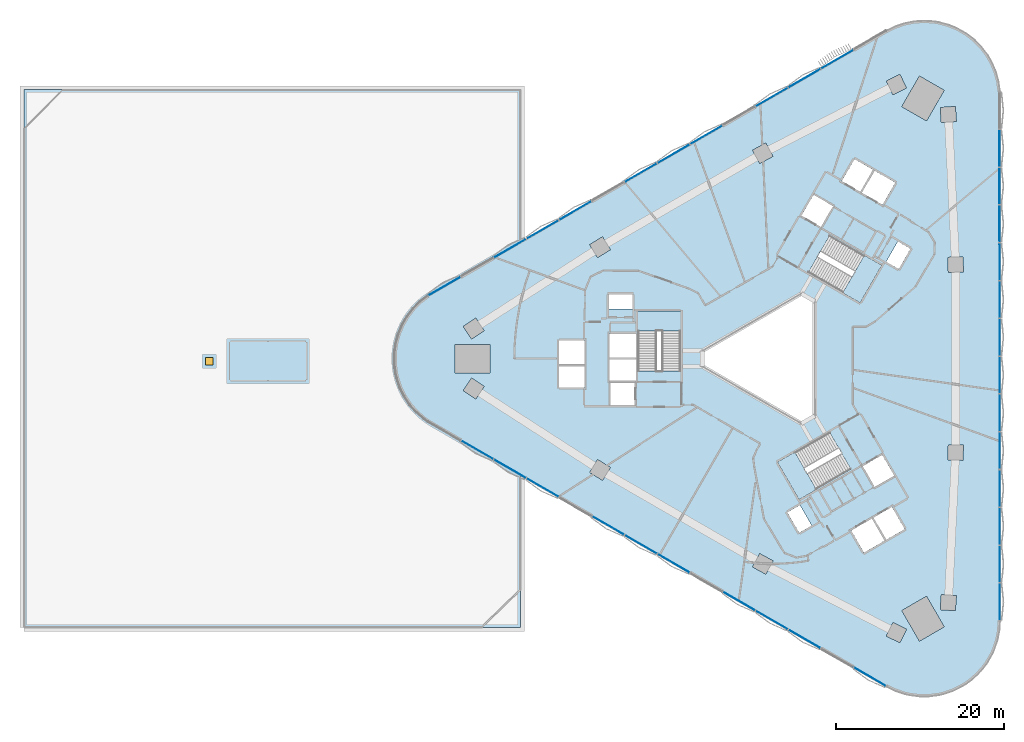
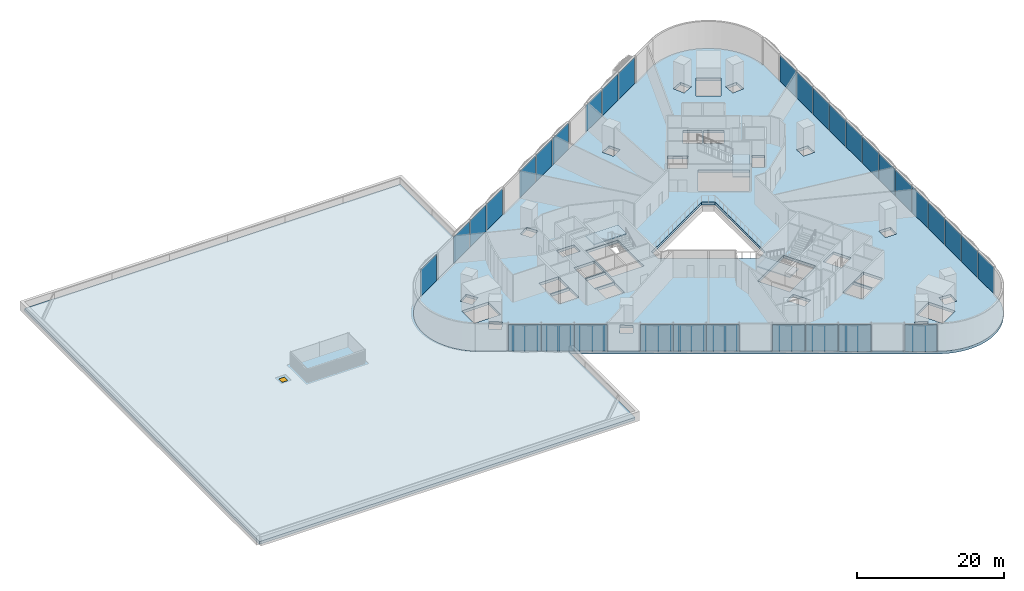
# One storey, part 5 of 14: 33 plates, 5 slabs, 1 door, 1 opening, 6 elements without a shape of their own.
"""IFC4 building model written with IfcOpenShell, lengths in metres."""

from ifc_helpers import new_model, si_unit, direction, frame, origin, origin_2d, place, context, subcontext, project, spatial, polyline, rectangle, outline, extrude, material, layer, layer_set, type_object, element, fill, aggregate, save


model = new_model("IFC4")

# Units and contexts
model_context = context("Model", 3, precision=1e-05, world=origin(), true_north=direction((0.0, 1.0)))
body_context = subcontext(model_context, "Body", "Model", "MODEL_VIEW")
ifc_project = project(units=[si_unit("LENGTHUNIT", "METRE"), si_unit("AREAUNIT", "SQUARE_METRE"), si_unit("VOLUMEUNIT", "CUBIC_METRE"), si_unit("PLANEANGLEUNIT", "RADIAN"), si_unit("MASSUNIT", "GRAM", prefix="KILO")], contexts=[model_context])

# Site, building, storey
site_placement = place(None, origin())
site = spatial("IfcSite", under=ifc_project, at=site_placement, CompositionType="ELEMENT")
building_placement = place(site_placement, origin())
building = spatial("IfcBuilding", under=site, at=building_placement, Name="Tamra Quay Hotel Tower", CompositionType="ELEMENT")
storey_placement = place(building_placement, frame((0.0, 0.0, 24.5)))
storey = spatial("IfcBuildingStorey", under=building, at=storey_placement, Name="L04", CompositionType="ELEMENT", Elevation=24.5)

# Stair, slab
ifc_material_1 = material(Name="Exit stair 2200 34 risers 147.1 going 299")
stair_type = type_object("IfcStairType", Name="Exit stair 2200 34 risers 147.1 going 299", PredefinedType="HALF_TURN_STAIR", material=ifc_material_1)
stair_1_placement = place(storey_placement, origin())
stair_1 = element("IfcStair", 1, at=stair_1_placement, inside=storey, type_object=stair_type, Name="L04 Exit stair ST3", PredefinedType="HALF_TURN_STAIR")
ifc_material_2 = material(Name="Concrete M70", Category="concrete")
ifc_layer_1 = layer(ifc_material_2, 0.175048828125)
ifc_layer_set_1 = layer_set([ifc_layer_1], Name="Concrete M70 stair landing 180")
slab_type_1 = type_object("IfcSlabType", Name="Concrete M70 stair landing 180", PredefinedType="LANDING", material=ifc_layer_set_1)
slab_1_placement = place(storey_placement, frame((0.0, 0.0, 2.324951171875)))
slab_1 = element("IfcSlab", 2, at=slab_1_placement, type_object=slab_type_1, Name="ST3 landing 1", PredefinedType="LANDING", context=body_context, shape_type="SweptSolid", body=[
    extrude(outline(polyline([(-10.932373046875, 3.283935546875), (-10.932373046875, 5.679931640625), (-16.09130859375, 5.679931640625), (-16.09130859375, 3.283935546875), (-10.932373046875, 3.283935546875)])), origin(), (0.0, 0.0, 1.0), 0.175048828125),
])
aggregate(stair_1, [slab_1])

stair_2_placement = place(storey_placement, origin())
stair_2 = element("IfcStair", 3, at=stair_2_placement, inside=storey, type_object=stair_type, Name="L04 Exit stair ST1", PredefinedType="HALF_TURN_STAIR")
slab_2_placement = place(storey_placement, frame((0.0, 0.0, 2.324951171875)))
slab_2 = element("IfcSlab", 4, at=slab_2_placement, type_object=slab_type_1, Name="ST1 landing 1", PredefinedType="LANDING", context=body_context, shape_type="SweptSolid", body=[
    extrude(outline(polyline([(8.31005859375, 7.82568359375), (10.385009765625, 6.627685546875), (12.964599609375, 11.095458984375), (10.8896484375, 12.29345703125), (8.31005859375, 7.82568359375)])), origin(), (0.0, 0.0, 1.0), 0.175048828125),
])
aggregate(stair_2, [slab_2])

stair_3_placement = place(storey_placement, origin())
stair_3 = element("IfcStair", 5, at=stair_3_placement, inside=storey, type_object=stair_type, Name="L04 Exit stair ST2", PredefinedType="HALF_TURN_STAIR")
slab_3_placement = place(storey_placement, frame((0.0, 0.0, 2.324951171875)))
slab_3 = element("IfcSlab", 6, at=slab_3_placement, type_object=slab_type_1, Name="ST2 landing 1", PredefinedType="LANDING", context=body_context, shape_type="SweptSolid", body=[
    extrude(outline(polyline([(2.622314453125, -11.109619140625), (0.547119140625, -12.3076171875), (3.126708984375, -16.775390625), (5.20166015625, -15.577392578125), (2.622314453125, -11.109619140625)])), origin(), (0.0, 0.0, 1.0), 0.175048828125),
])
aggregate(stair_3, [slab_3])

# Slab
ifc_material_3 = material(Name="Concrete M60", Category="concrete")
ifc_layer_2 = layer(ifc_material_3, 0.449951171875)
ifc_layer_set_2 = layer_set([ifc_layer_2], Name="FLOOR SLAB PT 450")
slab_type_2 = type_object("IfcSlabType", Name="FLOOR SLAB PT 450", PredefinedType="FLOOR", material=ifc_layer_set_2)
slab_4_placement = place(storey_placement, frame((0.0, 0.0, -0.449951171875)))
element("IfcSlab", 7, at=slab_4_placement, inside=storey, type_object=slab_type_2, Name="SLAB-L04", PredefinedType="FLOOR", context=body_context, shape_type="SweptSolid", body=[
    extrude(outline(polyline([(14.019287109375, 39.248779296875), (14.555908203125, 39.49169921875), (15.10693359375, 39.69921875), (15.670654296875, 39.8701171875), (16.244140625, 40.00390625), (16.8251953125, 40.099853515625), (17.411376953125, 40.15771484375), (18.0, 40.177001953125), (18.588623046875, 40.15771484375), (19.1748046875, 40.099853515625), (19.755859375, 40.00390625), (20.329345703125, 39.8701171875), (20.89306640625, 39.69921875), (21.444091796875, 39.49169921875), (21.980712890625, 39.248779296875), (22.5, 38.97119140625), (23.0, 38.66015625), (23.47900390625, 38.317138671875), (23.93408203125, 37.943603515625), (24.364013671875, 37.541015625), (24.7666015625, 37.111083984375), (25.14013671875, 36.65576171875), (25.483154296875, 36.177001953125), (25.794189453125, 35.677001953125), (26.072021484375, 35.157470703125), (26.31494140625, 34.62109375), (26.5224609375, 34.06982421875), (26.693359375, 33.50634765625), (26.8271484375, 32.9326171875), (26.923095703125, 32.351806640625), (26.980712890625, 31.765380859375), (27.0, 31.177001953125), (27.0, -31.177001953125), (26.980712890625, -31.765380859375), (26.923095703125, -32.351806640625), (26.8271484375, -32.9326171875), (26.693359375, -33.50634765625), (26.5224609375, -34.06982421875), (26.31494140625, -34.62109375), (26.072021484375, -35.157470703125), (25.794189453125, -35.677001953125), (25.483154296875, -36.177001953125), (25.14013671875, -36.65576171875), (24.7666015625, -37.111083984375), (24.364013671875, -37.541015625), (23.93408203125, -37.943603515625), (23.47900390625, -38.317138671875), (23.0, -38.66015625), (22.5, -38.97119140625), (21.980712890625, -39.248779296875), (21.444091796875, -39.49169921875), (20.89306640625, -39.69921875), (20.329345703125, -39.8701171875), (19.755859375, -40.00390625), (19.1748046875, -40.099853515625), (18.588623046875, -40.15771484375), (18.0, -40.177001953125), (17.411376953125, -40.15771484375), (16.8251953125, -40.099853515625), (16.244140625, -40.00390625), (15.670654296875, -39.8701171875), (15.10693359375, -39.69921875), (14.555908203125, -39.49169921875), (14.019287109375, -39.248779296875), (13.5, -38.97119140625), (-40.5, -7.794189453125), (-41.0, -7.483154296875), (-41.47900390625, -7.14013671875), (-41.93408203125, -6.7666015625), (-42.364013671875, -6.364013671875), (-42.7666015625, -5.93408203125), (-43.14013671875, -5.47900390625), (-43.483154296875, -5.0), (-43.794189453125, -4.5), (-44.072021484375, -3.980712890625), (-44.31494140625, -3.444091796875), (-44.5224609375, -2.89306640625), (-44.693359375, -2.329345703125), (-44.8271484375, -1.755859375), (-44.923095703125, -1.1748046875), (-44.980712890625, -0.588623046875), (-45.0, 0.0), (-44.980712890625, 0.588623046875), (-44.923095703125, 1.1748046875), (-44.8271484375, 1.755859375), (-44.693359375, 2.329345703125), (-44.5224609375, 2.89306640625), (-44.31494140625, 3.444091796875), (-44.072021484375, 3.980712890625), (-43.794189453125, 4.5), (-43.483154296875, 5.0), (-43.14013671875, 5.47900390625), (-42.7666015625, 5.93408203125), (-42.364013671875, 6.364013671875), (-41.93408203125, 6.7666015625), (-41.47900390625, 7.14013671875), (-41.0, 7.483154296875), (-40.5, 7.794189453125), (13.5, 38.97119140625), (14.019287109375, 39.248779296875)]), holes=[polyline([(-2.417236328125, -24.785400390625), (-0.83447265625, -25.642578125), (0.022705078125, -24.059814453125), (-1.56005859375, -23.202392578125), (-2.417236328125, -24.785400390625)]), polyline([(3.1328125, -20.71630859375), (4.631103515625, -19.851318359375), (3.236083984375, -17.43505859375), (1.73779296875, -18.300048828125), (3.1328125, -20.71630859375)]), polyline([(-21.789794921875, -13.543701171875), (-20.256103515625, -14.48583984375), (-19.31396484375, -12.9521484375), (-20.84765625, -12.010009765625), (-21.789794921875, -13.543701171875)]), polyline([(6.75390625, -8.78759765625), (0.622314453125, -12.32763671875), (3.146728515625, -16.7001953125), (9.2783203125, -13.160400390625), (6.75390625, -8.78759765625)]), polyline([(-19.4072265625, -2.85498046875), (-19.4072265625, -2.89306640625), (-19.307373046875, -2.89306640625), (-19.307373046875, -5.544921875), (-16.417236328125, -5.544921875), (-16.417236328125, -2.89306640625), (-16.3173828125, -2.89306640625), (-16.3173828125, -2.85498046875), (-19.4072265625, -2.85498046875)]), polyline([(-36.8330078125, -3.8076171875), (-35.3408203125, -4.814208984375), (-34.333984375, -3.322021484375), (-35.826416015625, -2.3154296875), (-36.8330078125, -3.8076171875)]), polyline([(-22.3671875, -0.905029296875), (-25.4072265625, -0.905029296875), (-25.4072265625, -3.445068359375), (-22.3671875, -3.445068359375), (-22.3671875, -0.905029296875)]), polyline([(-19.417236328125, -2.64501953125), (-16.307373046875, -2.64501953125), (-16.307373046875, -2.89306640625), (-16.26708984375, -2.89306640625), (-16.26708984375, -0.10498046875), (-19.45751953125, -0.10498046875), (-19.45751953125, -2.89306640625), (-19.417236328125, -2.89306640625), (-19.417236328125, -2.64501953125)]), polyline([(-37.828857421875, 1.699951171875), (-37.828857421875, -1.699951171875), (-33.62890625, -1.699951171875), (-33.62890625, 1.699951171875), (-37.828857421875, 1.699951171875)]), polyline([(-8.39990234375, 0.923828125), (-8.39990234375, -0.923828125), (3.39990234375, -7.736572265625), (5.0, -6.812744140625), (5.0, 6.812744140625), (3.39990234375, 7.736572265625), (-8.39990234375, 0.923828125)]), polyline([(-22.3671875, -0.695068359375), (-22.3671875, 2.14501953125), (-25.4072265625, 2.14501953125), (-25.4072265625, -0.695068359375), (-22.3671875, -0.695068359375)]), polyline([(-16.26708984375, 0.10498046875), (-16.26708984375, 2.945068359375), (-19.45751953125, 2.945068359375), (-19.45751953125, 0.10498046875), (-16.26708984375, 0.10498046875)]), polyline([(-10.9873046875, -1.455078125), (-10.9873046875, 5.625), (-16.036376953125, 5.625), (-16.036376953125, -1.455078125), (-10.9873046875, -1.455078125)]), polyline([(-35.3408203125, 4.814208984375), (-36.8330078125, 3.8076171875), (-35.826416015625, 2.3154296875), (-34.333984375, 3.322021484375), (-35.3408203125, 4.814208984375)]), polyline([(-19.50732421875, 7.64501953125), (-19.50732421875, 5.9150390625), (-16.71728515625, 5.9150390625), (-16.71728515625, 7.64501953125), (-19.50732421875, 7.64501953125)]), polyline([(-20.256103515625, 14.48583984375), (-21.789794921875, 13.543701171875), (-20.84765625, 12.010009765625), (-19.31396484375, 12.9521484375), (-20.256103515625, 14.48583984375)]), polyline([(-0.83447265625, 25.642578125), (-2.417236328125, 24.785400390625), (-1.56005859375, 23.202392578125), (0.022705078125, 24.059814453125), (-0.83447265625, 25.642578125)]), polyline([(13.501220703125, -33.012939453125), (15.118896484375, -33.802001953125), (15.907958984375, -32.18408203125), (14.290283203125, -31.395263671875), (13.501220703125, -33.012939453125)]), polyline([(17.442138671875, -33.61083984375), (20.38671875, -31.910888671875), (18.28662109375, -28.2734375), (15.34228515625, -29.973388671875), (17.442138671875, -33.61083984375)]), polyline([(21.714111328125, -29.994384765625), (21.839599609375, -28.198974609375), (20.0439453125, -28.0732421875), (19.91845703125, -29.868896484375), (21.714111328125, -29.994384765625)]), polyline([(11.78564453125, -19.02294921875), (9.325927734375, -20.443115234375), (10.845947265625, -23.075927734375), (13.3056640625, -21.65576171875), (11.78564453125, -19.02294921875)]), polyline([(11.96728515625, -18.91796875), (13.487548828125, -21.55078125), (15.68701171875, -20.281005859375), (14.1669921875, -17.648193359375), (11.96728515625, -18.91796875)]), polyline([(12.05615234375, -15.171875), (11.969482421875, -15.2216796875), (12.03955078125, -15.343017578125), (14.455810546875, -13.947998046875), (13.0107421875, -11.4453125), (10.68115234375, -12.790283203125), (12.05615234375, -15.171875)]), polyline([(22.624267578125, -12.0986328125), (22.67333984375, -10.29931640625), (20.8740234375, -10.250244140625), (20.824951171875, -12.049560546875), (22.624267578125, -12.0986328125)]), polyline([(4.2333984375, 10.242919921875), (10.364990234375, 6.702880859375), (12.889404296875, 11.075439453125), (6.758056640625, 14.615478515625), (4.2333984375, 10.242919921875)]), polyline([(22.67333984375, 10.29931640625), (22.624267578125, 12.0986328125), (20.824951171875, 12.049560546875), (20.8740234375, 10.250244140625), (22.67333984375, 10.29931640625)]), polyline([(16.37451171875, 13.0712890625), (14.876220703125, 13.936279296875), (13.481201171875, 11.52001953125), (14.9794921875, 10.655029296875), (16.37451171875, 13.0712890625)]), polyline([(7.111083984375, 18.02685546875), (7.19775390625, 17.976806640625), (7.267578125, 18.09814453125), (4.8515625, 19.4931640625), (3.406494140625, 16.990234375), (5.736083984375, 15.645263671875), (7.111083984375, 18.02685546875)]), polyline([(10.58154296875, 19.718017578125), (13.041259765625, 18.298095703125), (14.561279296875, 20.930908203125), (12.101806640625, 22.350830078125), (10.58154296875, 19.718017578125)]), polyline([(10.39990234375, 19.822998046875), (11.919921875, 22.455810546875), (9.72021484375, 23.725830078125), (8.2001953125, 21.093017578125), (10.39990234375, 19.822998046875)]), polyline([(21.839599609375, 28.198974609375), (21.714111328125, 29.994384765625), (19.91845703125, 29.868896484375), (20.0439453125, 28.0732421875), (21.839599609375, 28.198974609375)]), polyline([(18.28662109375, 28.2734375), (20.38671875, 31.910888671875), (17.442138671875, 33.61083984375), (15.34228515625, 29.973388671875), (18.28662109375, 28.2734375)]), polyline([(15.907958984375, 32.18408203125), (15.118896484375, 33.802001953125), (13.501220703125, 33.012939453125), (14.290283203125, 31.395263671875), (15.907958984375, 32.18408203125)])]), origin(), (0.0, 0.0, 1.0), 0.449951171875),
])

# Curtain wall, plates
ifc_material_4 = material(Name="Aluminium 6063 anodised dark grey", Category="aluminium")
curtain_wall_type = type_object("IfcCurtainWallType", Name="CW4 CURTAIN WALL", PredefinedType="NOTDEFINED", material=ifc_material_4)
curtain_wall_1_placement = place(storey_placement, origin())
curtain_wall_1 = element("IfcCurtainWall", 8, at=curtain_wall_1_placement, inside=storey, type_object=curtain_wall_type, Name="CW4 north-west face L04", PredefinedType="NOTDEFINED")
ifc_material_5 = material(Name="Glass clear laminated low-iron", Category="glass")
ifc_layer_3 = layer(ifc_material_5, 0.0400390625)
ifc_layer_set_3 = layer_set([ifc_layer_3], Name="GLASS PANEL CW4")
plate_type = type_object("IfcPlateType", Name="GLASS PANEL CW4", PredefinedType="CURTAIN_PANEL", material=ifc_layer_set_3)
plate_1_placement = place(storey_placement, frame((7.66064453125, 35.597412109375, 0.0), z_axis=(0.0, 0.0, 1.0), x_axis=(-0.865872289336, -0.500265108278, 0.0)))
plate_1 = element("IfcPlate", 9, at=plate_1_placement, type_object=plate_type, Name="CW4 glass L04.NW.1", PredefinedType="CURTAIN_PANEL", context=body_context, shape_type="SweptSolid", body=[
    extrude(rectangle(XDim=4.3759765625, YDim=0.0400390625, at=origin_2d()), origin(), (0.0, 0.0, 1.0), 4.419921875),
])
plate_2_placement = place(storey_placement, frame((3.767822265625, 33.348388671875, 0.0), z_axis=(0.0, 0.0, 1.0), x_axis=(-0.865872289336, -0.500265108278, 0.0)))
plate_2 = element("IfcPlate", 10, at=plate_2_placement, type_object=plate_type, Name="CW4 glass L04.NW.2", PredefinedType="CURTAIN_PANEL", context=body_context, shape_type="SweptSolid", body=[
    extrude(rectangle(XDim=4.3759765625, YDim=0.0400390625, at=origin_2d()), origin(), (0.0, 0.0, 1.0), 4.419921875),
])
plate_3_placement = place(storey_placement, frame((-0.125, 31.09912109375, 0.0), z_axis=(0.0, 0.0, 1.0), x_axis=(-0.865872289336, -0.500265108278, 0.0)))
plate_3 = element("IfcPlate", 11, at=plate_3_placement, type_object=plate_type, Name="CW4 glass L04.NW.3", PredefinedType="CURTAIN_PANEL", context=body_context, shape_type="SweptSolid", body=[
    extrude(rectangle(XDim=4.3759765625, YDim=0.0400390625, at=origin_2d()), origin(), (0.0, 0.0, 1.0), 4.419921875),
])
plate_4_placement = place(storey_placement, frame((-7.91064453125, 26.600830078125, 0.0), z_axis=(0.0, 0.0, 1.0), x_axis=(-0.865872289336, -0.500265108278, 0.0)))
plate_4 = element("IfcPlate", 12, at=plate_4_placement, type_object=plate_type, Name="CW4 glass L04.NW.4", PredefinedType="CURTAIN_PANEL", context=body_context, shape_type="SweptSolid", body=[
    extrude(rectangle(XDim=4.3759765625, YDim=0.0400390625, at=origin_2d()), origin(), (0.0, 0.0, 1.0), 4.419921875),
])
plate_5_placement = place(storey_placement, frame((-11.8037109375, 24.351806640625, 0.0), z_axis=(0.0, 0.0, 1.0), x_axis=(-0.865872289336, -0.500265108278, 0.0)))
plate_5 = element("IfcPlate", 13, at=plate_5_placement, type_object=plate_type, Name="CW4 glass L04.NW.5", PredefinedType="CURTAIN_PANEL", context=body_context, shape_type="SweptSolid", body=[
    extrude(rectangle(XDim=4.3759765625, YDim=0.0400390625, at=origin_2d()), origin(), (0.0, 0.0, 1.0), 4.419921875),
])
plate_6_placement = place(storey_placement, frame((-15.696533203125, 22.1025390625, 0.0), z_axis=(0.0, 0.0, 1.0), x_axis=(-0.865872289336, -0.500265108278, 0.0)))
plate_6 = element("IfcPlate", 14, at=plate_6_placement, type_object=plate_type, Name="CW4 glass L04.NW.6", PredefinedType="CURTAIN_PANEL", context=body_context, shape_type="SweptSolid", body=[
    extrude(rectangle(XDim=4.3759765625, YDim=0.0400390625, at=origin_2d()), origin(), (0.0, 0.0, 1.0), 4.419921875),
])
plate_7_placement = place(storey_placement, frame((-23.482177734375, 17.604248046875, 0.0), z_axis=(0.0, 0.0, 1.0), x_axis=(-0.865872289336, -0.500265108278, 0.0)))
plate_7 = element("IfcPlate", 15, at=plate_7_placement, type_object=plate_type, Name="CW4 glass L04.NW.7", PredefinedType="CURTAIN_PANEL", context=body_context, shape_type="SweptSolid", body=[
    extrude(rectangle(XDim=4.3759765625, YDim=0.0400390625, at=origin_2d()), origin(), (0.0, 0.0, 1.0), 4.419921875),
])
plate_8_placement = place(storey_placement, frame((-27.375, 15.355224609375, 0.0), z_axis=(0.0, 0.0, 1.0), x_axis=(-0.865872289336, -0.500265108278, 0.0)))
plate_8 = element("IfcPlate", 16, at=plate_8_placement, type_object=plate_type, Name="CW4 glass L04.NW.8", PredefinedType="CURTAIN_PANEL", context=body_context, shape_type="SweptSolid", body=[
    extrude(rectangle(XDim=4.3759765625, YDim=0.0400390625, at=origin_2d()), origin(), (0.0, 0.0, 1.0), 4.419921875),
])
plate_9_placement = place(storey_placement, frame((-31.26806640625, 13.10595703125, 0.0), z_axis=(0.0, 0.0, 1.0), x_axis=(-0.865872289336, -0.500265108278, 0.0)))
plate_9 = element("IfcPlate", 17, at=plate_9_placement, type_object=plate_type, Name="CW4 glass L04.NW.9", PredefinedType="CURTAIN_PANEL", context=body_context, shape_type="SweptSolid", body=[
    extrude(rectangle(XDim=4.3759765625, YDim=0.0400390625, at=origin_2d()), origin(), (0.0, 0.0, 1.0), 4.419921875),
])
plate_10_placement = place(storey_placement, frame((-39.0537109375, 8.60791015625, 0.0), z_axis=(0.0, 0.0, 1.0), x_axis=(-0.865872289336, -0.500265108278, 0.0)))
plate_10 = element("IfcPlate", 18, at=plate_10_placement, type_object=plate_type, Name="CW4 glass L04.NW.10", PredefinedType="CURTAIN_PANEL", context=body_context, shape_type="SweptSolid", body=[
    extrude(rectangle(XDim=4.3759765625, YDim=0.0400390625, at=origin_2d()), origin(), (0.0, 0.0, 1.0), 4.419921875),
])
aggregate(curtain_wall_1, [plate_1, plate_2, plate_3, plate_4, plate_5, plate_6, plate_7, plate_8, plate_9, plate_10])

curtain_wall_2_placement = place(storey_placement, origin())
curtain_wall_2 = element("IfcCurtainWall", 19, at=curtain_wall_2_placement, inside=storey, type_object=curtain_wall_type, Name="CW4 south-west face L04", PredefinedType="NOTDEFINED")
plate_11_placement = place(storey_placement, frame((-35.160888671875, -10.85693359375, 0.0), z_axis=(0.0, 0.0, 1.0), x_axis=(0.865872289336, -0.500265108278, 0.0)))
plate_11 = element("IfcPlate", 20, at=plate_11_placement, type_object=plate_type, Name="CW4 glass L04.SW.1", PredefinedType="CURTAIN_PANEL", context=body_context, shape_type="SweptSolid", body=[
    extrude(rectangle(XDim=4.3759765625, YDim=0.0400390625, at=origin_2d()), origin(), (0.0, 0.0, 1.0), 4.419921875),
])
plate_12_placement = place(storey_placement, frame((-31.26806640625, -13.10595703125, 0.0), z_axis=(0.0, 0.0, 1.0), x_axis=(0.865872289336, -0.500265108278, 0.0)))
plate_12 = element("IfcPlate", 21, at=plate_12_placement, type_object=plate_type, Name="CW4 glass L04.SW.2", PredefinedType="CURTAIN_PANEL", context=body_context, shape_type="SweptSolid", body=[
    extrude(rectangle(XDim=4.3759765625, YDim=0.0400390625, at=origin_2d()), origin(), (0.0, 0.0, 1.0), 4.419921875),
])
plate_13_placement = place(storey_placement, frame((-27.375, -15.355224609375, 0.0), z_axis=(0.0, 0.0, 1.0), x_axis=(0.865872289336, -0.500265108278, 0.0)))
plate_13 = element("IfcPlate", 22, at=plate_13_placement, type_object=plate_type, Name="CW4 glass L04.SW.3", PredefinedType="CURTAIN_PANEL", context=body_context, shape_type="SweptSolid", body=[
    extrude(rectangle(XDim=4.3759765625, YDim=0.0400390625, at=origin_2d()), origin(), (0.0, 0.0, 1.0), 4.419921875),
])
plate_14_placement = place(storey_placement, frame((-19.58935546875, -19.853515625, 0.0), z_axis=(0.0, 0.0, 1.0), x_axis=(0.865872289336, -0.500265108278, 0.0)))
plate_14 = element("IfcPlate", 23, at=plate_14_placement, type_object=plate_type, Name="CW4 glass L04.SW.4", PredefinedType="CURTAIN_PANEL", context=body_context, shape_type="SweptSolid", body=[
    extrude(rectangle(XDim=4.3759765625, YDim=0.0400390625, at=origin_2d()), origin(), (0.0, 0.0, 1.0), 4.419921875),
])
plate_15_placement = place(storey_placement, frame((-15.696533203125, -22.1025390625, 0.0), z_axis=(0.0, 0.0, 1.0), x_axis=(0.865872289336, -0.500265108278, 0.0)))
plate_15 = element("IfcPlate", 24, at=plate_15_placement, type_object=plate_type, Name="CW4 glass L04.SW.5", PredefinedType="CURTAIN_PANEL", context=body_context, shape_type="SweptSolid", body=[
    extrude(rectangle(XDim=4.3759765625, YDim=0.0400390625, at=origin_2d()), origin(), (0.0, 0.0, 1.0), 4.419921875),
])
plate_16_placement = place(storey_placement, frame((-11.8037109375, -24.351806640625, 0.0), z_axis=(0.0, 0.0, 1.0), x_axis=(0.865872289336, -0.500265108278, 0.0)))
plate_16 = element("IfcPlate", 25, at=plate_16_placement, type_object=plate_type, Name="CW4 glass L04.SW.6", PredefinedType="CURTAIN_PANEL", context=body_context, shape_type="SweptSolid", body=[
    extrude(rectangle(XDim=4.3759765625, YDim=0.0400390625, at=origin_2d()), origin(), (0.0, 0.0, 1.0), 4.419921875),
])
plate_17_placement = place(storey_placement, frame((-4.017822265625, -28.85009765625, 0.0), z_axis=(0.0, 0.0, 1.0), x_axis=(0.865872289336, -0.500265108278, 0.0)))
plate_17 = element("IfcPlate", 26, at=plate_17_placement, type_object=plate_type, Name="CW4 glass L04.SW.7", PredefinedType="CURTAIN_PANEL", context=body_context, shape_type="SweptSolid", body=[
    extrude(rectangle(XDim=4.3759765625, YDim=0.0400390625, at=origin_2d()), origin(), (0.0, 0.0, 1.0), 4.419921875),
])
plate_18_placement = place(storey_placement, frame((-0.125, -31.09912109375, 0.0), z_axis=(0.0, 0.0, 1.0), x_axis=(0.865872289336, -0.500265108278, 0.0)))
plate_18 = element("IfcPlate", 27, at=plate_18_placement, type_object=plate_type, Name="CW4 glass L04.SW.8", PredefinedType="CURTAIN_PANEL", context=body_context, shape_type="SweptSolid", body=[
    extrude(rectangle(XDim=4.3759765625, YDim=0.0400390625, at=origin_2d()), origin(), (0.0, 0.0, 1.0), 4.419921875),
])
plate_19_placement = place(storey_placement, frame((3.767822265625, -33.348388671875, 0.0), z_axis=(0.0, 0.0, 1.0), x_axis=(0.865872289336, -0.500265108278, 0.0)))
plate_19 = element("IfcPlate", 28, at=plate_19_placement, type_object=plate_type, Name="CW4 glass L04.SW.9", PredefinedType="CURTAIN_PANEL", context=body_context, shape_type="SweptSolid", body=[
    extrude(rectangle(XDim=4.3759765625, YDim=0.0400390625, at=origin_2d()), origin(), (0.0, 0.0, 1.0), 4.419921875),
])
plate_20_placement = place(storey_placement, frame((11.553466796875, -37.8466796875, 0.0), z_axis=(0.0, 0.0, 1.0), x_axis=(0.865872289336, -0.500265108278, 0.0)))
plate_20 = element("IfcPlate", 29, at=plate_20_placement, type_object=plate_type, Name="CW4 glass L04.SW.10", PredefinedType="CURTAIN_PANEL", context=body_context, shape_type="SweptSolid", body=[
    extrude(rectangle(XDim=4.3759765625, YDim=0.0400390625, at=origin_2d()), origin(), (0.0, 0.0, 1.0), 4.419921875),
])
aggregate(curtain_wall_2, [plate_11, plate_12, plate_13, plate_14, plate_15, plate_16, plate_17, plate_18, plate_19, plate_20])

curtain_wall_3_placement = place(storey_placement, origin())
curtain_wall_3 = element("IfcCurtainWall", 30, at=curtain_wall_3_placement, inside=storey, type_object=curtain_wall_type, Name="CW4 east face L04", PredefinedType="NOTDEFINED")
plate_21_placement = place(storey_placement, frame((26.999267578125, -28.928955078125, 0.0), z_axis=(0.0, 0.0, 1.0), x_axis=(-0.000306147728, 0.999999953137, 0.0)))
plate_21 = element("IfcPlate", 31, at=plate_21_placement, type_object=plate_type, Name="CW4 glass L04.E.1", PredefinedType="CURTAIN_PANEL", context=body_context, shape_type="SweptSolid", body=[
    extrude(rectangle(XDim=4.3759765625, YDim=0.0400390625, at=origin_2d()), origin(), (0.0, 0.0, 1.0), 4.419921875),
])
plate_22_placement = place(storey_placement, frame((26.998046875, -24.43310546875, 0.0), z_axis=(0.0, 0.0, 1.0), x_axis=(-0.000306147728, 0.999999953137, 0.0)))
plate_22 = element("IfcPlate", 32, at=plate_22_placement, type_object=plate_type, Name="CW4 glass L04.E.2", PredefinedType="CURTAIN_PANEL", context=body_context, shape_type="SweptSolid", body=[
    extrude(rectangle(XDim=4.3759765625, YDim=0.0400390625, at=origin_2d()), origin(), (0.0, 0.0, 1.0), 4.419921875),
])
plate_23_placement = place(storey_placement, frame((26.99658203125, -19.937255859375, 0.0), z_axis=(0.0, 0.0, 1.0), x_axis=(-0.000306147728, 0.999999953137, 0.0)))
plate_23 = element("IfcPlate", 33, at=plate_23_placement, type_object=plate_type, Name="CW4 glass L04.E.3", PredefinedType="CURTAIN_PANEL", context=body_context, shape_type="SweptSolid", body=[
    extrude(rectangle(XDim=4.3759765625, YDim=0.0400390625, at=origin_2d()), origin(), (0.0, 0.0, 1.0), 4.419921875),
])
plate_24_placement = place(storey_placement, frame((26.9951171875, -15.44140625, 0.0), z_axis=(0.0, 0.0, 1.0), x_axis=(-0.000306147728, 0.999999953137, 0.0)))
plate_24 = element("IfcPlate", 34, at=plate_24_placement, type_object=plate_type, Name="CW4 glass L04.E.4", PredefinedType="CURTAIN_PANEL", context=body_context, shape_type="SweptSolid", body=[
    extrude(rectangle(XDim=4.3759765625, YDim=0.0400390625, at=origin_2d()), origin(), (0.0, 0.0, 1.0), 4.419921875),
])
plate_25_placement = place(storey_placement, frame((26.993896484375, -10.9453125, 0.0), z_axis=(0.0, 0.0, 1.0), x_axis=(-0.000306147728, 0.999999953137, 0.0)))
plate_25 = element("IfcPlate", 35, at=plate_25_placement, type_object=plate_type, Name="CW4 glass L04.E.5", PredefinedType="CURTAIN_PANEL", context=body_context, shape_type="SweptSolid", body=[
    extrude(rectangle(XDim=4.3759765625, YDim=0.0400390625, at=origin_2d()), origin(), (0.0, 0.0, 1.0), 4.419921875),
])
plate_26_placement = place(storey_placement, frame((26.992431640625, -6.449462890625, 0.0), z_axis=(0.0, 0.0, 1.0), x_axis=(-0.000306147728, 0.999999953137, 0.0)))
plate_26 = element("IfcPlate", 36, at=plate_26_placement, type_object=plate_type, Name="CW4 glass L04.E.6", PredefinedType="CURTAIN_PANEL", context=body_context, shape_type="SweptSolid", body=[
    extrude(rectangle(XDim=4.3759765625, YDim=0.0400390625, at=origin_2d()), origin(), (0.0, 0.0, 1.0), 4.419921875),
])
plate_27_placement = place(storey_placement, frame((26.990966796875, -1.95361328125, 0.0), z_axis=(0.0, 0.0, 1.0), x_axis=(-0.000306147728, 0.999999953137, 0.0)))
plate_27 = element("IfcPlate", 37, at=plate_27_placement, type_object=plate_type, Name="CW4 glass L04.E.7", PredefinedType="CURTAIN_PANEL", context=body_context, shape_type="SweptSolid", body=[
    extrude(rectangle(XDim=4.3759765625, YDim=0.0400390625, at=origin_2d()), origin(), (0.0, 0.0, 1.0), 4.419921875),
])
plate_28_placement = place(storey_placement, frame((26.98974609375, 2.542236328125, 0.0), z_axis=(0.0, 0.0, 1.0), x_axis=(-0.000306147728, 0.999999953137, 0.0)))
plate_28 = element("IfcPlate", 38, at=plate_28_placement, type_object=plate_type, Name="CW4 glass L04.E.8", PredefinedType="CURTAIN_PANEL", context=body_context, shape_type="SweptSolid", body=[
    extrude(rectangle(XDim=4.3759765625, YDim=0.0400390625, at=origin_2d()), origin(), (0.0, 0.0, 1.0), 4.419921875),
])
plate_29_placement = place(storey_placement, frame((26.98828125, 7.0380859375, 0.0), z_axis=(0.0, 0.0, 1.0), x_axis=(-0.000306147728, 0.999999953137, 0.0)))
plate_29 = element("IfcPlate", 39, at=plate_29_placement, type_object=plate_type, Name="CW4 glass L04.E.9", PredefinedType="CURTAIN_PANEL", context=body_context, shape_type="SweptSolid", body=[
    extrude(rectangle(XDim=4.3759765625, YDim=0.0400390625, at=origin_2d()), origin(), (0.0, 0.0, 1.0), 4.419921875),
])
plate_30_placement = place(storey_placement, frame((26.98681640625, 11.533935546875, 0.0), z_axis=(0.0, 0.0, 1.0), x_axis=(-0.000306147728, 0.999999953137, 0.0)))
plate_30 = element("IfcPlate", 40, at=plate_30_placement, type_object=plate_type, Name="CW4 glass L04.E.10", PredefinedType="CURTAIN_PANEL", context=body_context, shape_type="SweptSolid", body=[
    extrude(rectangle(XDim=4.3759765625, YDim=0.0400390625, at=origin_2d()), origin(), (0.0, 0.0, 1.0), 4.419921875),
])
plate_31_placement = place(storey_placement, frame((26.985595703125, 16.030029296875, 0.0), z_axis=(0.0, 0.0, 1.0), x_axis=(-0.000306147728, 0.999999953137, 0.0)))
plate_31 = element("IfcPlate", 41, at=plate_31_placement, type_object=plate_type, Name="CW4 glass L04.E.11", PredefinedType="CURTAIN_PANEL", context=body_context, shape_type="SweptSolid", body=[
    extrude(rectangle(XDim=4.3759765625, YDim=0.0400390625, at=origin_2d()), origin(), (0.0, 0.0, 1.0), 4.419921875),
])
plate_32_placement = place(storey_placement, frame((26.984130859375, 20.52587890625, 0.0), z_axis=(0.0, 0.0, 1.0), x_axis=(-0.000306147728, 0.999999953137, 0.0)))
plate_32 = element("IfcPlate", 42, at=plate_32_placement, type_object=plate_type, Name="CW4 glass L04.E.12", PredefinedType="CURTAIN_PANEL", context=body_context, shape_type="SweptSolid", body=[
    extrude(rectangle(XDim=4.3759765625, YDim=0.0400390625, at=origin_2d()), origin(), (0.0, 0.0, 1.0), 4.419921875),
])
plate_33_placement = place(storey_placement, frame((26.98291015625, 25.021728515625, 0.0), z_axis=(0.0, 0.0, 1.0), x_axis=(-0.000306147728, 0.999999953137, 0.0)))
plate_33 = element("IfcPlate", 43, at=plate_33_placement, type_object=plate_type, Name="CW4 glass L04.E.13", PredefinedType="CURTAIN_PANEL", context=body_context, shape_type="SweptSolid", body=[
    extrude(rectangle(XDim=4.3759765625, YDim=0.0400390625, at=origin_2d()), origin(), (0.0, 0.0, 1.0), 4.419921875),
])
aggregate(curtain_wall_3, [plate_21, plate_22, plate_23, plate_24, plate_25, plate_26, plate_27, plate_28, plate_29, plate_30, plate_31, plate_32, plate_33])

# Slab, opening, door
ifc_material_6 = material(Name="Reinforced concrete M60 with waterproofing membrane", Category="concrete")
ifc_layer_4 = layer(ifc_material_6, 0.449951171875)
ifc_layer_set_4 = layer_set([ifc_layer_4], Name="WING ROOF SLAB 450")
slab_type_3 = type_object("IfcSlabType", Name="WING ROOF SLAB 450", PredefinedType="ROOF", material=ifc_layer_set_4)
slab_5_placement = place(storey_placement, frame((0.0, 0.0, -0.449951171875)))
slab_5 = element("IfcSlab", 44, at=slab_5_placement, inside=storey, type_object=slab_type_3, Name="Wing roof slab", PredefinedType="ROOF", context=body_context, shape_type="SweptSolid", body=[
    extrude(outline(polyline([(-89.10009765625, -32.0), (-30.0, -32.0), (-30.0, -13.8564453125), (13.5, -38.97119140625), (-40.5, -7.794189453125), (-41.000244140625, -7.483154296875), (-41.478759765625, -7.14013671875), (-41.93408203125, -6.7666015625), (-42.364013671875, -6.364013671875), (-42.7666015625, -5.93408203125), (-43.14013671875, -5.478759765625), (-43.483154296875, -5.000244140625), (-43.794189453125, -4.5), (-44.07177734375, -3.980712890625), (-44.31494140625, -3.444091796875), (-44.5224609375, -2.89306640625), (-44.693359375, -2.329345703125), (-44.8271484375, -1.755859375), (-44.923095703125, -1.1748046875), (-44.980712890625, -0.588623046875), (-45.0, 0.0), (-44.980712890625, 0.588623046875), (-44.923095703125, 1.1748046875), (-44.8271484375, 1.755859375), (-44.693359375, 2.329345703125), (-44.5224609375, 2.89306640625), (-44.31494140625, 3.444091796875), (-44.07177734375, 3.980712890625), (-43.794189453125, 4.5), (-43.483154296875, 5.000244140625), (-43.14013671875, 5.478759765625), (-42.7666015625, 5.93408203125), (-42.364013671875, 6.364013671875), (-41.93408203125, 6.7666015625), (-41.478759765625, 7.14013671875), (-41.000244140625, 7.483154296875), (-40.5, 7.794189453125), (13.5, 38.97119140625), (-30.0, 13.8564453125), (-30.0, 32.0), (-89.10009765625, 32.0), (-89.10009765625, -32.0)])), origin(), (0.0, 0.0, 1.0), 0.449951171875),
])
opening_placement = place(slab_5_placement, frame((-67.045166015625, -0.29443359375, 0.0)))
opening = element("IfcOpeningElement", 45, at=opening_placement, cuts=slab_5, Name="Opening RH1", PredefinedType="OPENING", context=body_context, shape_type="SweptSolid", body=[
    extrude(rectangle(XDim=0.89990234375, YDim=0.89990234375, at=origin_2d()), origin(), (0.0, 0.0, 1.0), 0.449951171875),
])
ifc_material_7 = material(Name="Galvanised steel hatch", Category="steel")
door_type = type_object("IfcDoorType", Name="ROOF ACCESS HATCH 900X900", OperationType="NOTDEFINED", PredefinedType="TRAPDOOR", material=ifc_material_7)
door_placement = place(opening_placement, frame((0.0, 0.0, 0.39990234375)))
door = element("IfcDoor", 46, at=door_placement, inside=storey, type_object=door_type, Name="RH1", OperationType="SWING_FIXED_LEFT", OverallHeight=0.89990234375, OverallWidth=0.89990234375, PredefinedType="TRAPDOOR", context=body_context, shape_type="SweptSolid", body=[
    extrude(rectangle(XDim=0.89990234375, YDim=0.89990234375, at=origin_2d()), origin(), (0.0, 0.0, 1.0), 0.050048828125),
])
fill(opening, door)

save(model, "model.ifc")
